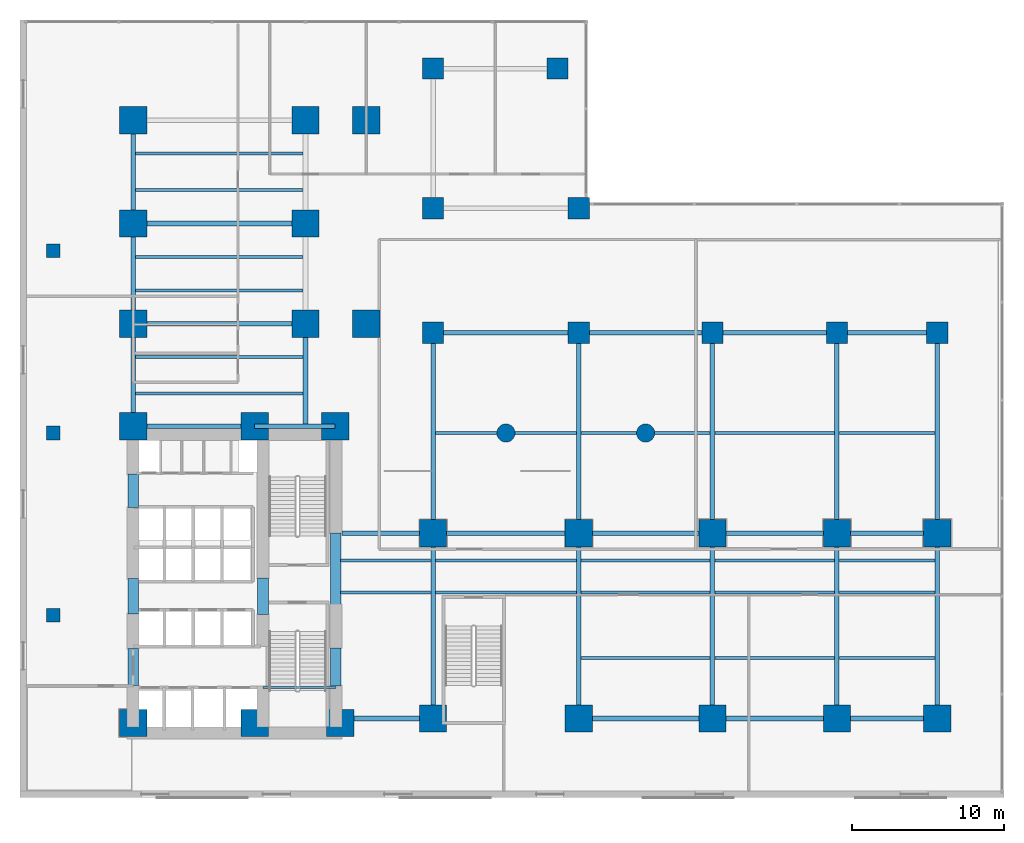
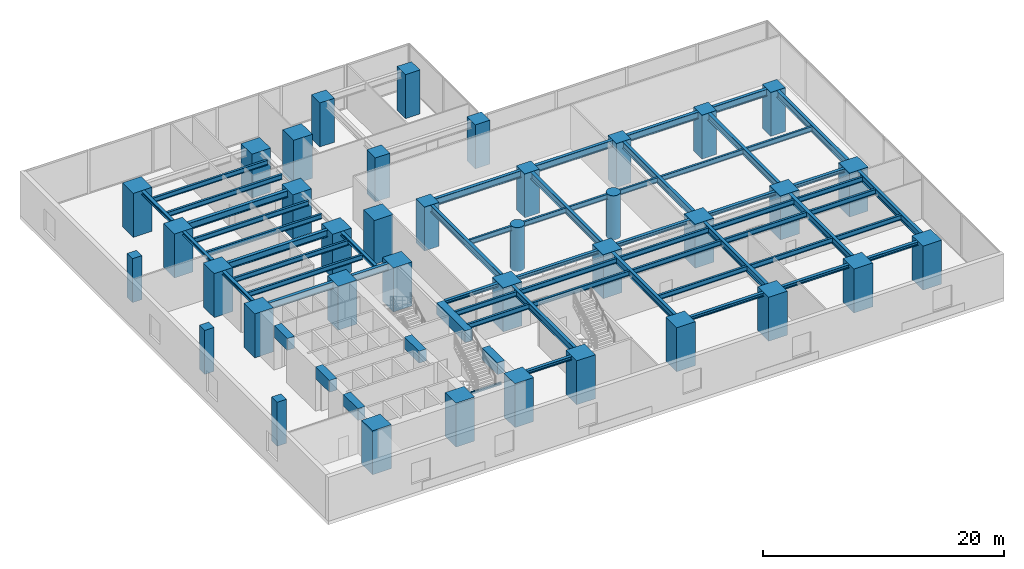
# One storey, part 1 of 16: 61 beams, 38 columns.
"""IFC4 building model written with IfcOpenShell, lengths in metres."""

from ifc_helpers import new_model, si_unit, direction, frame, origin, origin_2d, place, context, subcontext, project, spatial, rectangle, circle, i_section, extrude, material, material_profile, profile_set, type_object, element, save


model = new_model("IFC4")

# Units and contexts
model_context = context("Model", 3, precision=1e-05, world=origin(), true_north=direction((0.0, 1.0)))
body_context = subcontext(model_context, "Body", "Model", "MODEL_VIEW")
ifc_project = project(units=[si_unit("LENGTHUNIT", "METRE"), si_unit("AREAUNIT", "SQUARE_METRE"), si_unit("VOLUMEUNIT", "CUBIC_METRE"), si_unit("PLANEANGLEUNIT", "RADIAN"), si_unit("MASSUNIT", "GRAM", prefix="KILO")], contexts=[model_context])

# Site, building, storey
site_placement = place(None, origin())
site = spatial("IfcSite", under=ifc_project, at=site_placement, CompositionType="ELEMENT")
building_placement = place(site_placement, origin())
building = spatial("IfcBuilding", under=site, at=building_placement, Name="Kolvaren Waterfront Exchange", CompositionType="ELEMENT")
storey_placement = place(building_placement, frame((0.0, 0.0, 10.39990234375)))
storey = spatial("IfcBuildingStorey", under=building, at=storey_placement, Name="L03", CompositionType="ELEMENT", Elevation=10.39990234375)

# Columns
ifc_material_1 = material(Name="Concrete C70/85", Category="concrete")
ifc_material_profile_1 = material_profile(ifc_material_1, rectangle(XDim=1.39990234375, YDim=1.39990234375, at=origin_2d()), Name="RC-COL-1400x1400")
ifc_profile_set_1 = profile_set([ifc_material_profile_1], Name="Concrete C70/85")
column_type_1 = type_object("IfcColumnType", Name="STR-COL-1400-C70", PredefinedType="COLUMN", material=ifc_profile_set_1)
for number, where, z_axis, x_axis, name in (
    (1, (27.199951171875, 30.60009765625, 0.0), (0.0, 0.0, 1.0), (1.0, 0.0, 0.0), "L03 column PC01"),
    (2, (36.800048828125, 30.60009765625, 0.0), (0.0, 0.0, 1.0), (1.0, 0.0, 0.0), "L03 column PC02"),
    (3, (45.60009765625, 30.60009765625, 0.0), (0.0, 0.0, 1.0), (1.0, 0.0, 0.0), "L03 column PC03"),
    (4, (53.800048828125, 30.60009765625, 0.0), (0.0, 0.0, 1.0), (1.0, 0.0, 0.0), "L03 column PC04"),
    (5, (60.39990234375, 30.60009765625, 0.0), (0.0, 0.0, 1.0), (1.0, 0.0, 0.0), "L03 column PC05"),
    (6, (27.199951171875, 38.800048828125, 0.0), (0.0, 0.0, 1.0), (1.0, 0.0, 0.0), "L03 column PC06"),
    (7, (36.800048828125, 38.800048828125, 0.0), (0.0, 0.0, 1.0), (1.0, 0.0, 0.0), "L03 column PC07"),
    (8, (27.199951171875, 48.0, 0.0), (0.0, 0.0, 1.0), (1.0, 0.0, 0.0), "L03 column PC08"),
    (9, (35.39990234375, 48.0, 0.0), (0.0, 0.0, 1.0), (1.0, 0.0, 0.0), "L03 column PC09"),
):
    element("IfcColumn", number, at=place(storey_placement, frame(where, z_axis=z_axis, x_axis=x_axis)), inside=storey, type_object=column_type_1, Name=name, PredefinedType="COLUMN", context=body_context, shape_type="SweptSolid", body=[
        extrude(rectangle(XDim=1.39990234375, YDim=1.39990234375, at=origin_2d()), origin(), (0.0, 0.0, 1.0), 4.460205078125),
    ])
ifc_material_profile_2 = material_profile(ifc_material_1, rectangle(XDim=1.800048828125, YDim=1.800048828125, at=origin_2d()), Name="RC-COL-1800x1800")
ifc_profile_set_2 = profile_set([ifc_material_profile_2], Name="Concrete C70/85")
column_type_2 = type_object("IfcColumnType", Name="STR-COL-1800-C70", PredefinedType="COLUMN", material=ifc_profile_set_2)
for number, where, z_axis, x_axis, name in (
    (10, (7.449951171875, 4.89990234375, 0.0), (0.0, 0.0, 1.0), (1.0, 0.0, 0.0), "L03 column MC01"),
    (11, (15.449951171875, 4.89990234375, 0.0), (0.0, 0.0, 1.0), (1.0, 0.0, 0.0), "L03 column MC02"),
    (12, (21.10009765625, 4.89990234375, 0.0), (0.0, 0.0, 1.0), (1.0, 0.0, 0.0), "L03 column MC03"),
    (13, (7.449951171875, 24.449951171875, 0.0), (0.0, 0.0, 1.0), (1.0, 0.0, 0.0), "L03 column MC04"),
    (14, (15.449951171875, 24.449951171875, 0.0), (0.0, 0.0, 1.0), (1.0, 0.0, 0.0), "L03 column MC05"),
    (15, (20.75, 24.449951171875, 0.0), (0.0, 0.0, 1.0), (1.0, 0.0, 0.0), "L03 column MC06"),
    (16, (7.449951171875, 31.199951171875, 0.0), (0.0, 0.0, 1.0), (1.0, 0.0, 0.0), "L03 column NC01"),
    (17, (7.449951171875, 37.800048828125, 0.0), (0.0, 0.0, 1.0), (1.0, 0.0, 0.0), "L03 column NC02"),
    (18, (7.449951171875, 44.60009765625, 0.0), (0.0, 0.0, 1.0), (1.0, 0.0, 0.0), "L03 column NC03"),
    (19, (18.800048828125, 31.199951171875, 0.0), (0.0, 0.0, 1.0), (1.0, 0.0, 0.0), "L03 column NC04"),
    (20, (18.800048828125, 37.800048828125, 0.0), (0.0, 0.0, 1.0), (1.0, 0.0, 0.0), "L03 column NC05"),
    (21, (18.800048828125, 44.60009765625, 0.0), (0.0, 0.0, 1.0), (1.0, 0.0, 0.0), "L03 column NC06"),
    (22, (27.199951171875, 5.199951171875, 0.0), (0.0, 0.0, 1.0), (1.0, 0.0, 0.0), "L03 column EC01"),
    (23, (36.800048828125, 5.199951171875, 0.0), (0.0, 0.0, 1.0), (1.0, 0.0, 0.0), "L03 column EC02"),
    (24, (45.60009765625, 5.199951171875, 0.0), (0.0, 0.0, 1.0), (1.0, 0.0, 0.0), "L03 column EC03"),
    (25, (27.199951171875, 17.39990234375, 0.0), (0.0, 0.0, 1.0), (1.0, 0.0, 0.0), "L03 column EC04"),
    (26, (36.800048828125, 17.39990234375, 0.0), (0.0, 0.0, 1.0), (1.0, 0.0, 0.0), "L03 column EC05"),
    (27, (45.60009765625, 17.39990234375, 0.0), (0.0, 0.0, 1.0), (1.0, 0.0, 0.0), "L03 column EC06"),
    (28, (53.800048828125, 5.199951171875, 0.0), (0.0, 0.0, 1.0), (1.0, 0.0, 0.0), "L03 column ZC01"),
    (29, (53.800048828125, 17.39990234375, 0.0), (0.0, 0.0, 1.0), (1.0, 0.0, 0.0), "L03 column ZC02"),
    (30, (60.39990234375, 5.199951171875, 0.0), (0.0, 0.0, 1.0), (1.0, 0.0, 0.0), "L03 column ZC03"),
    (31, (60.39990234375, 17.39990234375, 0.0), (0.0, 0.0, 1.0), (1.0, 0.0, 0.0), "L03 column ZC04"),
    (32, (22.800048828125, 31.199951171875, 0.0), (0.0, 0.0, 1.0), (1.0, 0.0, 0.0), "L03 column ZC05"),
    (33, (22.800048828125, 44.60009765625, 0.0), (0.0, 0.0, 1.0), (1.0, 0.0, 0.0), "L03 column ZC06"),
):
    element("IfcColumn", number, at=place(storey_placement, frame(where, z_axis=z_axis, x_axis=x_axis)), inside=storey, type_object=column_type_2, Name=name, PredefinedType="COLUMN", context=body_context, shape_type="SweptSolid", body=[
        extrude(rectangle(XDim=1.800048828125, YDim=1.800048828125, at=origin_2d()), origin(), (0.0, 0.0, 1.0), 4.460205078125),
    ])
ifc_material_profile_3 = material_profile(ifc_material_1, circle(Radius=0.60009765625, at=origin_2d()), Name="RC-COL-D1200")
ifc_profile_set_3 = profile_set([ifc_material_profile_3], Name="Concrete C70/85")
column_type_3 = type_object("IfcColumnType", Name="STR-COL-D1200-C70", PredefinedType="COLUMN", material=ifc_profile_set_3)
for number, where, z_axis, x_axis, name in (
    (34, (32.0, 24.0, 0.0), (0.0, 0.0, 1.0), (1.0, 0.0, 0.0), "L03 column LC01"),
    (35, (41.199951171875, 24.0, 0.0), (0.0, 0.0, 1.0), (1.0, 0.0, 0.0), "L03 column LC02"),
):
    element("IfcColumn", number, at=place(storey_placement, frame(where, z_axis=z_axis, x_axis=x_axis)), inside=storey, type_object=column_type_3, Name=name, PredefinedType="COLUMN", context=body_context, shape_type="SweptSolid", body=[
        extrude(circle(Radius=0.60009765625, at=origin_2d()), origin(), (0.0, 0.0, 1.0), 4.460205078125),
    ])
ifc_material_profile_4 = material_profile(ifc_material_1, rectangle(XDim=0.89990234375, YDim=0.89990234375, at=origin_2d()), Name="RC-COL-900x900")
ifc_profile_set_4 = profile_set([ifc_material_profile_4], Name="Concrete C70/85")
column_type_4 = type_object("IfcColumnType", Name="STR-PIL-900-C70", PredefinedType="PILASTER", material=ifc_profile_set_4)
for number, where, z_axis, x_axis, name in (
    (36, (2.199951171875, 12.0, 0.0), (0.0, 0.0, 1.0), (1.0, 0.0, 0.0), "L03 column PL01"),
    (37, (2.199951171875, 24.0, 0.0), (0.0, 0.0, 1.0), (1.0, 0.0, 0.0), "L03 column PL02"),
    (38, (2.199951171875, 36.0, 0.0), (0.0, 0.0, 1.0), (1.0, 0.0, 0.0), "L03 column PL03"),
):
    element("IfcColumn", number, at=place(storey_placement, frame(where, z_axis=z_axis, x_axis=x_axis)), inside=storey, type_object=column_type_4, Name=name, PredefinedType="PILASTER", context=body_context, shape_type="SweptSolid", body=[
        extrude(rectangle(XDim=0.89990234375, YDim=0.89990234375, at=origin_2d()), origin(), (0.0, 0.0, 1.0), 4.460205078125),
    ])

# Beams
ifc_material_2 = material(Name="Steel S355", Category="steel")
ifc_material_profile_5 = material_profile(ifc_material_2, i_section(OverallWidth=0.300048828125, OverallDepth=0.360107421875, WebThickness=0.012451171875, FlangeThickness=0.0224609375, FilletRadius=0.027099609375, at=origin_2d()), Name="HEB360")
ifc_profile_set_5 = profile_set([ifc_material_profile_5], Name="Steel S355")
beam_type_1 = type_object("IfcBeamType", Name="STR-BM-HEB360", PredefinedType="SPANDREL", material=ifc_profile_set_5)
beam_1_placement = place(storey_placement, frame((7.449951171875, 24.449951171875, 4.280029296875), z_axis=(0.0, 1.0, 0.0), x_axis=(-1.0, 0.0, 0.0)))
element("IfcBeam", 39, at=beam_1_placement, inside=storey, type_object=beam_type_1, Name="L03 north-arm edge beam 1", PredefinedType="SPANDREL", context=body_context, shape_type="SweptSolid", body=[
    extrude(i_section(OverallWidth=0.300048828125, OverallDepth=0.360107421875, WebThickness=0.012451171875, FlangeThickness=0.0224609375, FilletRadius=0.027099609375, at=origin_2d()), origin(), (0.0, 0.0, 1.0), 6.75),
])
beam_2_placement = place(storey_placement, frame((7.449951171875, 31.199951171875, 4.280029296875), z_axis=(0.0, 1.0, 0.0), x_axis=(-1.0, 0.0, 0.0)))
element("IfcBeam", 40, at=beam_2_placement, inside=storey, type_object=beam_type_1, Name="L03 north-arm edge beam 2", PredefinedType="SPANDREL", context=body_context, shape_type="SweptSolid", body=[
    extrude(i_section(OverallWidth=0.300048828125, OverallDepth=0.360107421875, WebThickness=0.012451171875, FlangeThickness=0.0224609375, FilletRadius=0.027099609375, at=origin_2d()), origin(), (0.0, 0.0, 1.0), 6.60009765625),
])
beam_3_placement = place(storey_placement, frame((7.449951171875, 37.800048828125, 4.280029296875), z_axis=(0.0, 1.0, 0.0), x_axis=(-1.0, 0.0, 0.0)))
element("IfcBeam", 41, at=beam_3_placement, inside=storey, type_object=beam_type_1, Name="L03 north-arm edge beam 3", PredefinedType="SPANDREL", context=body_context, shape_type="SweptSolid", body=[
    extrude(i_section(OverallWidth=0.300048828125, OverallDepth=0.360107421875, WebThickness=0.012451171875, FlangeThickness=0.0224609375, FilletRadius=0.027099609375, at=origin_2d()), origin(), (0.0, 0.0, 1.0), 6.800048828125),
])
beam_4_placement = place(storey_placement, frame((18.800048828125, 24.449951171875, 4.280029296875), z_axis=(0.0, 1.0, 0.0), x_axis=(-1.0, 0.0, 0.0)))
element("IfcBeam", 42, at=beam_4_placement, inside=storey, type_object=beam_type_1, Name="L03 north-arm edge beam 1", PredefinedType="SPANDREL", context=body_context, shape_type="SweptSolid", body=[
    extrude(i_section(OverallWidth=0.300048828125, OverallDepth=0.360107421875, WebThickness=0.012451171875, FlangeThickness=0.0224609375, FilletRadius=0.027099609375, at=origin_2d()), origin(), (0.0, 0.0, 1.0), 6.75),
])
beam_5_placement = place(storey_placement, frame((21.199951171875, 5.199951171875, 4.280029296875), z_axis=(1.0, 0.0, 0.0), x_axis=(0.0, 1.0, 0.0)))
element("IfcBeam", 43, at=beam_5_placement, inside=storey, type_object=beam_type_1, Name="L03 east-arm spandrel S1", PredefinedType="SPANDREL", context=body_context, shape_type="SweptSolid", body=[
    extrude(i_section(OverallWidth=0.300048828125, OverallDepth=0.360107421875, WebThickness=0.012451171875, FlangeThickness=0.0224609375, FilletRadius=0.027099609375, at=origin_2d()), origin(), (0.0, 0.0, 1.0), 6.0),
])
beam_6_placement = place(storey_placement, frame((36.800048828125, 5.199951171875, 4.280029296875), z_axis=(1.0, 0.0, 0.0), x_axis=(0.0, 1.0, 0.0)))
element("IfcBeam", 44, at=beam_6_placement, inside=storey, type_object=beam_type_1, Name="L03 east-arm spandrel S3", PredefinedType="SPANDREL", context=body_context, shape_type="SweptSolid", body=[
    extrude(i_section(OverallWidth=0.300048828125, OverallDepth=0.360107421875, WebThickness=0.012451171875, FlangeThickness=0.0224609375, FilletRadius=0.027099609375, at=origin_2d()), origin(), (0.0, 0.0, 1.0), 8.800048828125),
])
beam_7_placement = place(storey_placement, frame((45.60009765625, 5.199951171875, 4.280029296875), z_axis=(1.0, 0.0, 0.0), x_axis=(0.0, 1.0, 0.0)))
element("IfcBeam", 45, at=beam_7_placement, inside=storey, type_object=beam_type_1, Name="L03 east-arm spandrel S4", PredefinedType="SPANDREL", context=body_context, shape_type="SweptSolid", body=[
    extrude(i_section(OverallWidth=0.300048828125, OverallDepth=0.360107421875, WebThickness=0.012451171875, FlangeThickness=0.0224609375, FilletRadius=0.027099609375, at=origin_2d()), origin(), (0.0, 0.0, 1.0), 8.199951171875),
])
beam_8_placement = place(storey_placement, frame((53.800048828125, 5.199951171875, 4.280029296875), z_axis=(1.0, 0.0, 0.0), x_axis=(0.0, 1.0, 0.0)))
element("IfcBeam", 46, at=beam_8_placement, inside=storey, type_object=beam_type_1, Name="L03 east-arm spandrel S5", PredefinedType="SPANDREL", context=body_context, shape_type="SweptSolid", body=[
    extrude(i_section(OverallWidth=0.300048828125, OverallDepth=0.360107421875, WebThickness=0.012451171875, FlangeThickness=0.0224609375, FilletRadius=0.027099609375, at=origin_2d()), origin(), (0.0, 0.0, 1.0), 6.599853515625),
])
beam_9_placement = place(storey_placement, frame((21.199951171875, 17.39990234375, 4.280029296875), z_axis=(1.0, 0.0, 0.0), x_axis=(0.0, 1.0, 0.0)))
element("IfcBeam", 47, at=beam_9_placement, inside=storey, type_object=beam_type_1, Name="L03 east-arm spandrel N1", PredefinedType="SPANDREL", context=body_context, shape_type="SweptSolid", body=[
    extrude(i_section(OverallWidth=0.300048828125, OverallDepth=0.360107421875, WebThickness=0.012451171875, FlangeThickness=0.0224609375, FilletRadius=0.027099609375, at=origin_2d()), origin(), (0.0, 0.0, 1.0), 6.0),
])
beam_10_placement = place(storey_placement, frame((27.199951171875, 17.39990234375, 4.280029296875), z_axis=(1.0, 0.0, 0.0), x_axis=(0.0, 1.0, 0.0)))
element("IfcBeam", 48, at=beam_10_placement, inside=storey, type_object=beam_type_1, Name="L03 east-arm spandrel N2", PredefinedType="SPANDREL", context=body_context, shape_type="SweptSolid", body=[
    extrude(i_section(OverallWidth=0.300048828125, OverallDepth=0.360107421875, WebThickness=0.012451171875, FlangeThickness=0.0224609375, FilletRadius=0.027099609375, at=origin_2d()), origin(), (0.0, 0.0, 1.0), 9.60009765625),
])
beam_11_placement = place(storey_placement, frame((36.800048828125, 17.39990234375, 4.280029296875), z_axis=(1.0, 0.0, 0.0), x_axis=(0.0, 1.0, 0.0)))
element("IfcBeam", 49, at=beam_11_placement, inside=storey, type_object=beam_type_1, Name="L03 east-arm spandrel N3", PredefinedType="SPANDREL", context=body_context, shape_type="SweptSolid", body=[
    extrude(i_section(OverallWidth=0.300048828125, OverallDepth=0.360107421875, WebThickness=0.012451171875, FlangeThickness=0.0224609375, FilletRadius=0.027099609375, at=origin_2d()), origin(), (0.0, 0.0, 1.0), 8.800048828125),
])
beam_12_placement = place(storey_placement, frame((45.60009765625, 17.39990234375, 4.280029296875), z_axis=(1.0, 0.0, 0.0), x_axis=(0.0, 1.0, 0.0)))
element("IfcBeam", 50, at=beam_12_placement, inside=storey, type_object=beam_type_1, Name="L03 east-arm spandrel N4", PredefinedType="SPANDREL", context=body_context, shape_type="SweptSolid", body=[
    extrude(i_section(OverallWidth=0.300048828125, OverallDepth=0.360107421875, WebThickness=0.012451171875, FlangeThickness=0.0224609375, FilletRadius=0.027099609375, at=origin_2d()), origin(), (0.0, 0.0, 1.0), 8.199951171875),
])
beam_13_placement = place(storey_placement, frame((53.800048828125, 17.39990234375, 4.280029296875), z_axis=(1.0, 0.0, 0.0), x_axis=(0.0, 1.0, 0.0)))
element("IfcBeam", 51, at=beam_13_placement, inside=storey, type_object=beam_type_1, Name="L03 east-arm spandrel N5", PredefinedType="SPANDREL", context=body_context, shape_type="SweptSolid", body=[
    extrude(i_section(OverallWidth=0.300048828125, OverallDepth=0.360107421875, WebThickness=0.012451171875, FlangeThickness=0.0224609375, FilletRadius=0.027099609375, at=origin_2d()), origin(), (0.0, 0.0, 1.0), 6.599853515625),
])
ifc_material_profile_6 = material_profile(ifc_material_2, i_section(OverallWidth=0.300048828125, OverallDepth=0.699951171875, WebThickness=0.01708984375, FlangeThickness=0.031982421875, FilletRadius=0.027099609375, at=origin_2d()), Name="HEB700")
ifc_profile_set_6 = profile_set([ifc_material_profile_6], Name="Steel S355")
beam_type_2 = type_object("IfcBeamType", Name="STR-BM-HEB700", PredefinedType="BEAM", material=ifc_profile_set_6)
beam_14_placement = place(storey_placement, frame((7.449951171875, 24.449951171875, 4.110107421875), z_axis=(1.0, 0.0, 0.0), x_axis=(0.0, 1.0, 0.0)))
element("IfcBeam", 52, at=beam_14_placement, inside=storey, type_object=beam_type_2, Name="L03 north-arm girder 1A", PredefinedType="BEAM", context=body_context, shape_type="SweptSolid", body=[
    extrude(i_section(OverallWidth=0.300048828125, OverallDepth=0.699951171875, WebThickness=0.01708984375, FlangeThickness=0.031982421875, FilletRadius=0.027099609375, at=origin_2d()), origin(), (0.0, 0.0, 1.0), 8.0),
])
beam_15_placement = place(storey_placement, frame((15.449951171875, 24.449951171875, 4.110107421875), z_axis=(1.0, 0.0, 0.0), x_axis=(0.0, 1.0, 0.0)))
element("IfcBeam", 53, at=beam_15_placement, inside=storey, type_object=beam_type_2, Name="L03 north-arm girder 1B", PredefinedType="BEAM", context=body_context, shape_type="SweptSolid", body=[
    extrude(i_section(OverallWidth=0.300048828125, OverallDepth=0.699951171875, WebThickness=0.01708984375, FlangeThickness=0.031982421875, FilletRadius=0.027099609375, at=origin_2d()), origin(), (0.0, 0.0, 1.0), 5.300048828125),
])
for number, where, z_axis, x_axis, name in (
    (54, (7.449951171875, 31.199951171875, 4.110107421875), (1.0, 0.0, 0.0), (0.0, 1.0, 0.0), "L03 north-arm girder 2"),
    (55, (7.449951171875, 37.800048828125, 4.110107421875), (1.0, 0.0, 0.0), (0.0, 1.0, 0.0), "L03 north-arm girder 3"),
):
    element("IfcBeam", number, at=place(storey_placement, frame(where, z_axis=z_axis, x_axis=x_axis)), inside=storey, type_object=beam_type_2, Name=name, PredefinedType="BEAM", context=body_context, shape_type="SweptSolid", body=[
        extrude(i_section(OverallWidth=0.300048828125, OverallDepth=0.699951171875, WebThickness=0.01708984375, FlangeThickness=0.031982421875, FilletRadius=0.027099609375, at=origin_2d()), origin(), (0.0, 0.0, 1.0), 11.35009765625),
    ])
for number, where, z_axis, x_axis, name in (
    (56, (27.199951171875, 5.199951171875, 4.110107421875), (0.0, 1.0, 0.0), (-1.0, 0.0, 0.0), "L03 east-arm transverse girder X27"),
    (57, (36.800048828125, 5.199951171875, 4.110107421875), (0.0, 1.0, 0.0), (-1.0, 0.0, 0.0), "L03 east-arm transverse girder X36"),
    (58, (45.60009765625, 5.199951171875, 4.110107421875), (0.0, 1.0, 0.0), (-1.0, 0.0, 0.0), "L03 east-arm transverse girder X45"),
    (59, (53.800048828125, 5.199951171875, 4.110107421875), (0.0, 1.0, 0.0), (-1.0, 0.0, 0.0), "L03 east-arm transverse girder X53"),
    (60, (60.39990234375, 5.199951171875, 4.110107421875), (0.0, 1.0, 0.0), (-1.0, 0.0, 0.0), "L03 east-arm transverse girder X60"),
):
    element("IfcBeam", number, at=place(storey_placement, frame(where, z_axis=z_axis, x_axis=x_axis)), inside=storey, type_object=beam_type_2, Name=name, PredefinedType="BEAM", context=body_context, shape_type="SweptSolid", body=[
        extrude(i_section(OverallWidth=0.300048828125, OverallDepth=0.699951171875, WebThickness=0.01708984375, FlangeThickness=0.031982421875, FilletRadius=0.027099609375, at=origin_2d()), origin(), (0.0, 0.0, 1.0), 12.199951171875),
    ])
for number, where, z_axis, x_axis, name in (
    (61, (27.199951171875, 17.39990234375, 4.110107421875), (0.0, 1.0, 0.0), (-1.0, 0.0, 0.0), "L03 podium hall girder X27"),
    (62, (36.800048828125, 17.39990234375, 4.110107421875), (0.0, 1.0, 0.0), (-1.0, 0.0, 0.0), "L03 podium hall girder X36"),
    (63, (45.60009765625, 17.39990234375, 4.110107421875), (0.0, 1.0, 0.0), (-1.0, 0.0, 0.0), "L03 podium hall girder X45"),
    (64, (53.800048828125, 17.39990234375, 4.110107421875), (0.0, 1.0, 0.0), (-1.0, 0.0, 0.0), "L03 podium hall girder X53"),
    (65, (60.39990234375, 17.39990234375, 4.110107421875), (0.0, 1.0, 0.0), (-1.0, 0.0, 0.0), "L03 podium hall girder X60"),
):
    element("IfcBeam", number, at=place(storey_placement, frame(where, z_axis=z_axis, x_axis=x_axis)), inside=storey, type_object=beam_type_2, Name=name, PredefinedType="BEAM", context=body_context, shape_type="SweptSolid", body=[
        extrude(i_section(OverallWidth=0.300048828125, OverallDepth=0.699951171875, WebThickness=0.01708984375, FlangeThickness=0.031982421875, FilletRadius=0.027099609375, at=origin_2d()), origin(), (0.0, 0.0, 1.0), 13.2001953125),
    ])
beam_16_placement = place(storey_placement, frame((27.199951171875, 30.60009765625, 4.110107421875), z_axis=(1.0, 0.0, 0.0), x_axis=(0.0, 1.0, 0.0)))
element("IfcBeam", 66, at=beam_16_placement, inside=storey, type_object=beam_type_2, Name="L03 podium longitudinal beam 1", PredefinedType="BEAM", context=body_context, shape_type="SweptSolid", body=[
    extrude(i_section(OverallWidth=0.300048828125, OverallDepth=0.699951171875, WebThickness=0.01708984375, FlangeThickness=0.031982421875, FilletRadius=0.027099609375, at=origin_2d()), origin(), (0.0, 0.0, 1.0), 9.60009765625),
])
beam_17_placement = place(storey_placement, frame((36.800048828125, 30.60009765625, 4.110107421875), z_axis=(1.0, 0.0, 0.0), x_axis=(0.0, 1.0, 0.0)))
element("IfcBeam", 67, at=beam_17_placement, inside=storey, type_object=beam_type_2, Name="L03 podium longitudinal beam 2", PredefinedType="BEAM", context=body_context, shape_type="SweptSolid", body=[
    extrude(i_section(OverallWidth=0.300048828125, OverallDepth=0.699951171875, WebThickness=0.01708984375, FlangeThickness=0.031982421875, FilletRadius=0.027099609375, at=origin_2d()), origin(), (0.0, 0.0, 1.0), 8.800048828125),
])
beam_18_placement = place(storey_placement, frame((45.60009765625, 30.60009765625, 4.110107421875), z_axis=(1.0, 0.0, 0.0), x_axis=(0.0, 1.0, 0.0)))
element("IfcBeam", 68, at=beam_18_placement, inside=storey, type_object=beam_type_2, Name="L03 podium longitudinal beam 3", PredefinedType="BEAM", context=body_context, shape_type="SweptSolid", body=[
    extrude(i_section(OverallWidth=0.300048828125, OverallDepth=0.699951171875, WebThickness=0.01708984375, FlangeThickness=0.031982421875, FilletRadius=0.027099609375, at=origin_2d()), origin(), (0.0, 0.0, 1.0), 8.199951171875),
])
beam_19_placement = place(storey_placement, frame((53.800048828125, 30.60009765625, 4.110107421875), z_axis=(1.0, 0.0, 0.0), x_axis=(0.0, 1.0, 0.0)))
element("IfcBeam", 69, at=beam_19_placement, inside=storey, type_object=beam_type_2, Name="L03 podium longitudinal beam 4", PredefinedType="BEAM", context=body_context, shape_type="SweptSolid", body=[
    extrude(i_section(OverallWidth=0.300048828125, OverallDepth=0.699951171875, WebThickness=0.01708984375, FlangeThickness=0.031982421875, FilletRadius=0.027099609375, at=origin_2d()), origin(), (0.0, 0.0, 1.0), 6.599853515625),
])
ifc_material_profile_7 = material_profile(ifc_material_2, i_section(OverallWidth=0.135009765625, OverallDepth=0.27001953125, WebThickness=0.006591796875, FlangeThickness=0.01025390625, FilletRadius=0.014892578125, at=origin_2d()), Name="IPE270")
ifc_profile_set_7 = profile_set([ifc_material_profile_7], Name="Steel S355")
beam_type_3 = type_object("IfcBeamType", Name="STR-BM-IPE270", PredefinedType="LINTEL", material=ifc_profile_set_7)
beam_20_placement = place(storey_placement, frame((16.0, 7.25, 2.364990234375), z_axis=(1.0, 0.0, 0.0), x_axis=(0.0, 1.0, 0.0)))
element("IfcBeam", 70, at=beam_20_placement, inside=storey, type_object=beam_type_3, Name="L03 core throat header lintel", PredefinedType="LINTEL", context=body_context, shape_type="SweptSolid", body=[
    extrude(i_section(OverallWidth=0.135009765625, OverallDepth=0.27001953125, WebThickness=0.006591796875, FlangeThickness=0.01025390625, FilletRadius=0.014892578125, at=origin_2d()), origin(), (0.0, 0.0, 1.0), 4.800048828125),
])
ifc_material_profile_8 = material_profile(ifc_material_2, i_section(OverallWidth=0.199951171875, OverallDepth=0.5, WebThickness=0.01025390625, FlangeThickness=0.01611328125, FilletRadius=0.02099609375, at=origin_2d()), Name="IPE500")
ifc_profile_set_8 = profile_set([ifc_material_profile_8], Name="Steel S355")
beam_type_4 = type_object("IfcBeamType", Name="STR-BM-IPE500", PredefinedType="JOIST", material=ifc_profile_set_8)
for number, where, z_axis, x_axis, name in (
    (71, (7.60205078125, 26.60009765625, 4.210205078125), (1.0, 0.0, 0.0), (0.0, 1.0, 0.0), "L03 north-arm composite joist 1"),
    (72, (7.60205078125, 29.0, 4.210205078125), (1.0, 0.0, 0.0), (0.0, 1.0, 0.0), "L03 north-arm composite joist 2"),
    (73, (7.60205078125, 33.39990234375, 4.210205078125), (1.0, 0.0, 0.0), (0.0, 1.0, 0.0), "L03 north-arm composite joist 3"),
    (74, (7.60205078125, 35.60009765625, 4.210205078125), (1.0, 0.0, 0.0), (0.0, 1.0, 0.0), "L03 north-arm composite joist 4"),
    (75, (7.60205078125, 40.0, 4.210205078125), (1.0, 0.0, 0.0), (0.0, 1.0, 0.0), "L03 north-arm composite joist 5"),
    (76, (7.60205078125, 42.39990234375, 4.210205078125), (1.0, 0.0, 0.0), (0.0, 1.0, 0.0), "L03 north-arm composite joist 6"),
):
    element("IfcBeam", number, at=place(storey_placement, frame(where, z_axis=z_axis, x_axis=x_axis)), inside=storey, type_object=beam_type_4, Name=name, PredefinedType="JOIST", context=body_context, shape_type="SweptSolid", body=[
        extrude(i_section(OverallWidth=0.199951171875, OverallDepth=0.5, WebThickness=0.01025390625, FlangeThickness=0.01611328125, FilletRadius=0.02099609375, at=origin_2d()), origin(), (0.0, 0.0, 1.0), 11.0458984375),
    ])
for number, where, z_axis, x_axis, name in (
    (77, (21.10009765625, 13.5, 4.210205078125), (1.0, 0.0, 0.0), (0.0, 1.0, 0.0), "L03 east-arm composite joist 1A"),
    (78, (21.10009765625, 15.60009765625, 4.210205078125), (1.0, 0.0, 0.0), (0.0, 1.0, 0.0), "L03 east-arm composite joist 1C"),
):
    element("IfcBeam", number, at=place(storey_placement, frame(where, z_axis=z_axis, x_axis=x_axis)), inside=storey, type_object=beam_type_4, Name=name, PredefinedType="JOIST", context=body_context, shape_type="SweptSolid", body=[
        extrude(i_section(OverallWidth=0.199951171875, OverallDepth=0.5, WebThickness=0.01025390625, FlangeThickness=0.01611328125, FilletRadius=0.02099609375, at=origin_2d()), origin(), (0.0, 0.0, 1.0), 5.947998046875),
    ])
for number, where, z_axis, x_axis, name in (
    (79, (27.35205078125, 13.5, 4.210205078125), (1.0, 0.0, 0.0), (0.0, 1.0, 0.0), "L03 east-arm composite joist 2A"),
    (80, (27.35205078125, 15.60009765625, 4.210205078125), (1.0, 0.0, 0.0), (0.0, 1.0, 0.0), "L03 east-arm composite joist 2C"),
):
    element("IfcBeam", number, at=place(storey_placement, frame(where, z_axis=z_axis, x_axis=x_axis)), inside=storey, type_object=beam_type_4, Name=name, PredefinedType="JOIST", context=body_context, shape_type="SweptSolid", body=[
        extrude(i_section(OverallWidth=0.199951171875, OverallDepth=0.5, WebThickness=0.01025390625, FlangeThickness=0.01611328125, FilletRadius=0.02099609375, at=origin_2d()), origin(), (0.0, 0.0, 1.0), 9.2958984375),
    ])
for number, where, z_axis, x_axis, name in (
    (81, (36.951904296875, 13.5, 4.210205078125), (1.0, 0.0, 0.0), (0.0, 1.0, 0.0), "L03 east-arm composite joist 3A"),
    (82, (36.951904296875, 15.60009765625, 4.210205078125), (1.0, 0.0, 0.0), (0.0, 1.0, 0.0), "L03 east-arm composite joist 3C"),
    (83, (36.951904296875, 9.199951171875, 4.210205078125), (1.0, 0.0, 0.0), (0.0, 1.0, 0.0), "L03 east-arm composite joist 3B"),
):
    element("IfcBeam", number, at=place(storey_placement, frame(where, z_axis=z_axis, x_axis=x_axis)), inside=storey, type_object=beam_type_4, Name=name, PredefinedType="JOIST", context=body_context, shape_type="SweptSolid", body=[
        extrude(i_section(OverallWidth=0.199951171875, OverallDepth=0.5, WebThickness=0.01025390625, FlangeThickness=0.01611328125, FilletRadius=0.02099609375, at=origin_2d()), origin(), (0.0, 0.0, 1.0), 8.49609375),
    ])
for number, where, z_axis, x_axis, name in (
    (84, (45.751953125, 13.5, 4.210205078125), (1.0, 0.0, 0.0), (0.0, 1.0, 0.0), "L03 east-arm composite joist 4A"),
    (85, (45.751953125, 15.60009765625, 4.210205078125), (1.0, 0.0, 0.0), (0.0, 1.0, 0.0), "L03 east-arm composite joist 4C"),
    (86, (45.751953125, 9.199951171875, 4.210205078125), (1.0, 0.0, 0.0), (0.0, 1.0, 0.0), "L03 east-arm composite joist 4B"),
):
    element("IfcBeam", number, at=place(storey_placement, frame(where, z_axis=z_axis, x_axis=x_axis)), inside=storey, type_object=beam_type_4, Name=name, PredefinedType="JOIST", context=body_context, shape_type="SweptSolid", body=[
        extrude(i_section(OverallWidth=0.199951171875, OverallDepth=0.5, WebThickness=0.01025390625, FlangeThickness=0.01611328125, FilletRadius=0.02099609375, at=origin_2d()), origin(), (0.0, 0.0, 1.0), 7.89599609375),
    ])
for number, where, z_axis, x_axis, name in (
    (87, (53.951904296875, 13.5, 4.210205078125), (1.0, 0.0, 0.0), (0.0, 1.0, 0.0), "L03 east-arm composite joist 5A"),
    (88, (53.951904296875, 15.60009765625, 4.210205078125), (1.0, 0.0, 0.0), (0.0, 1.0, 0.0), "L03 east-arm composite joist 5C"),
    (89, (53.951904296875, 9.199951171875, 4.210205078125), (1.0, 0.0, 0.0), (0.0, 1.0, 0.0), "L03 east-arm composite joist 5B"),
):
    element("IfcBeam", number, at=place(storey_placement, frame(where, z_axis=z_axis, x_axis=x_axis)), inside=storey, type_object=beam_type_4, Name=name, PredefinedType="JOIST", context=body_context, shape_type="SweptSolid", body=[
        extrude(i_section(OverallWidth=0.199951171875, OverallDepth=0.5, WebThickness=0.01025390625, FlangeThickness=0.01611328125, FilletRadius=0.02099609375, at=origin_2d()), origin(), (0.0, 0.0, 1.0), 6.296142578125),
    ])
beam_21_placement = place(storey_placement, frame((27.35205078125, 24.0, 4.210205078125), z_axis=(1.0, 0.0, 0.0), x_axis=(0.0, 1.0, 0.0)))
element("IfcBeam", 90, at=beam_21_placement, inside=storey, type_object=beam_type_4, Name="L03 podium trading joist 1", PredefinedType="JOIST", context=body_context, shape_type="SweptSolid", body=[
    extrude(i_section(OverallWidth=0.199951171875, OverallDepth=0.5, WebThickness=0.01025390625, FlangeThickness=0.01611328125, FilletRadius=0.02099609375, at=origin_2d()), origin(), (0.0, 0.0, 1.0), 9.2958984375),
])
beam_22_placement = place(storey_placement, frame((36.951904296875, 24.0, 4.210205078125), z_axis=(1.0, 0.0, 0.0), x_axis=(0.0, 1.0, 0.0)))
element("IfcBeam", 91, at=beam_22_placement, inside=storey, type_object=beam_type_4, Name="L03 podium trading joist 2", PredefinedType="JOIST", context=body_context, shape_type="SweptSolid", body=[
    extrude(i_section(OverallWidth=0.199951171875, OverallDepth=0.5, WebThickness=0.01025390625, FlangeThickness=0.01611328125, FilletRadius=0.02099609375, at=origin_2d()), origin(), (0.0, 0.0, 1.0), 8.49609375),
])
beam_23_placement = place(storey_placement, frame((45.751953125, 24.0, 4.210205078125), z_axis=(1.0, 0.0, 0.0), x_axis=(0.0, 1.0, 0.0)))
element("IfcBeam", 92, at=beam_23_placement, inside=storey, type_object=beam_type_4, Name="L03 podium trading joist 3", PredefinedType="JOIST", context=body_context, shape_type="SweptSolid", body=[
    extrude(i_section(OverallWidth=0.199951171875, OverallDepth=0.5, WebThickness=0.01025390625, FlangeThickness=0.01611328125, FilletRadius=0.02099609375, at=origin_2d()), origin(), (0.0, 0.0, 1.0), 7.89599609375),
])
beam_24_placement = place(storey_placement, frame((53.951904296875, 24.0, 4.210205078125), z_axis=(1.0, 0.0, 0.0), x_axis=(0.0, 1.0, 0.0)))
element("IfcBeam", 93, at=beam_24_placement, inside=storey, type_object=beam_type_4, Name="L03 podium trading joist 4", PredefinedType="JOIST", context=body_context, shape_type="SweptSolid", body=[
    extrude(i_section(OverallWidth=0.199951171875, OverallDepth=0.5, WebThickness=0.01025390625, FlangeThickness=0.01611328125, FilletRadius=0.02099609375, at=origin_2d()), origin(), (0.0, 0.0, 1.0), 6.296142578125),
])
ifc_material_profile_9 = material_profile(ifc_material_1, rectangle(XDim=0.699951171875, YDim=1.199951171875, at=origin_2d()), Name="RC-CB-1200x700")
ifc_profile_set_9 = profile_set([ifc_material_profile_9], Name="Concrete C70/85")
beam_type_5 = type_object("IfcBeamType", Name="STR-CB-1200", PredefinedType="SPANDREL", material=ifc_profile_set_9)
beam_25_placement = place(storey_placement, frame((20.800048828125, 7.340087890625, 3.860107421875), z_axis=(0.0, 1.0, 0.0), x_axis=(-1.0, 0.0, 0.0)))
element("IfcBeam", 94, at=beam_25_placement, inside=storey, type_object=beam_type_5, Name="L03 core coupling beam 1", PredefinedType="SPANDREL", context=body_context, shape_type="SweptSolid", body=[
    extrude(rectangle(XDim=0.699951171875, YDim=1.199951171875, at=origin_2d()), origin(), (0.0, 0.0, 1.0), 2.52001953125),
])
beam_26_placement = place(storey_placement, frame((20.800048828125, 12.68994140625, 3.860107421875), z_axis=(0.0, 1.0, 0.0), x_axis=(-1.0, 0.0, 0.0)))
element("IfcBeam", 95, at=beam_26_placement, inside=storey, type_object=beam_type_5, Name="L03 core coupling beam 2", PredefinedType="SPANDREL", context=body_context, shape_type="SweptSolid", body=[
    extrude(rectangle(XDim=0.699951171875, YDim=1.199951171875, at=origin_2d()), origin(), (0.0, 0.0, 1.0), 4.719970703125),
])
beam_27_placement = place(storey_placement, frame((7.449951171875, 7.389892578125, 3.860107421875), z_axis=(0.0, 1.0, 0.0), x_axis=(-1.0, 0.0, 0.0)))
element("IfcBeam", 96, at=beam_27_placement, inside=storey, type_object=beam_type_5, Name="L03 core coupling beam 3", PredefinedType="SPANDREL", context=body_context, shape_type="SweptSolid", body=[
    extrude(rectangle(XDim=0.699951171875, YDim=1.199951171875, at=origin_2d()), origin(), (0.0, 0.0, 1.0), 2.420166015625),
])
beam_28_placement = place(storey_placement, frame((7.449951171875, 12.090087890625, 3.860107421875), z_axis=(0.0, 1.0, 0.0), x_axis=(-1.0, 0.0, 0.0)))
element("IfcBeam", 97, at=beam_28_placement, inside=storey, type_object=beam_type_5, Name="L03 core coupling beam 4", PredefinedType="SPANDREL", context=body_context, shape_type="SweptSolid", body=[
    extrude(rectangle(XDim=0.699951171875, YDim=1.199951171875, at=origin_2d()), origin(), (0.0, 0.0, 1.0), 2.31982421875),
])
beam_29_placement = place(storey_placement, frame((7.449951171875, 19.10009765625, 3.860107421875), z_axis=(0.0, 1.0, 0.0), x_axis=(-1.0, 0.0, 0.0)))
element("IfcBeam", 98, at=beam_29_placement, inside=storey, type_object=beam_type_5, Name="L03 core coupling beam 5", PredefinedType="SPANDREL", context=body_context, shape_type="SweptSolid", body=[
    extrude(rectangle(XDim=0.699951171875, YDim=1.199951171875, at=origin_2d()), origin(), (0.0, 0.0, 1.0), 2.199951171875),
])
beam_30_placement = place(storey_placement, frame((16.0, 12.0400390625, 3.860107421875), z_axis=(0.0, 1.0, 0.0), x_axis=(-1.0, 0.0, 0.0)))
element("IfcBeam", 99, at=beam_30_placement, inside=storey, type_object=beam_type_5, Name="L03 core coupling beam 6", PredefinedType="SPANDREL", context=body_context, shape_type="SweptSolid", body=[
    extrude(rectangle(XDim=0.699951171875, YDim=1.199951171875, at=origin_2d()), origin(), (0.0, 0.0, 1.0), 2.419921875),
])

save(model, "model.ifc")
